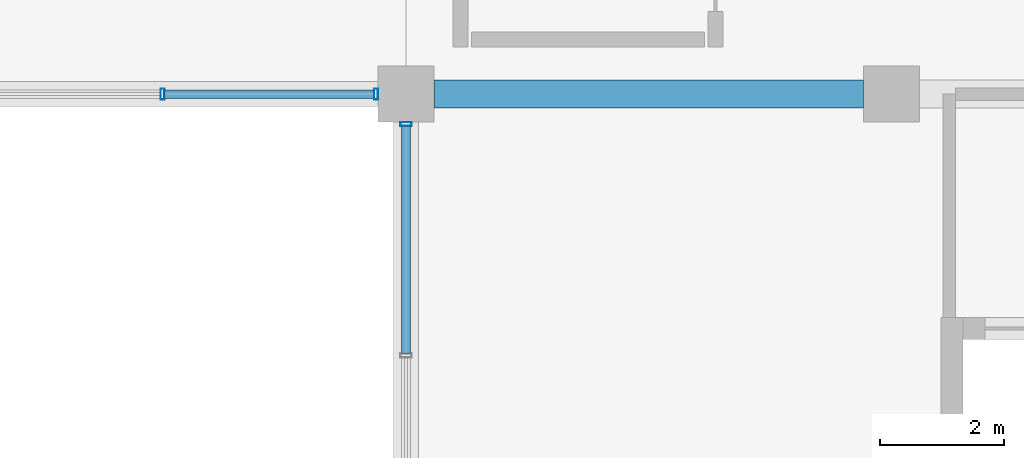
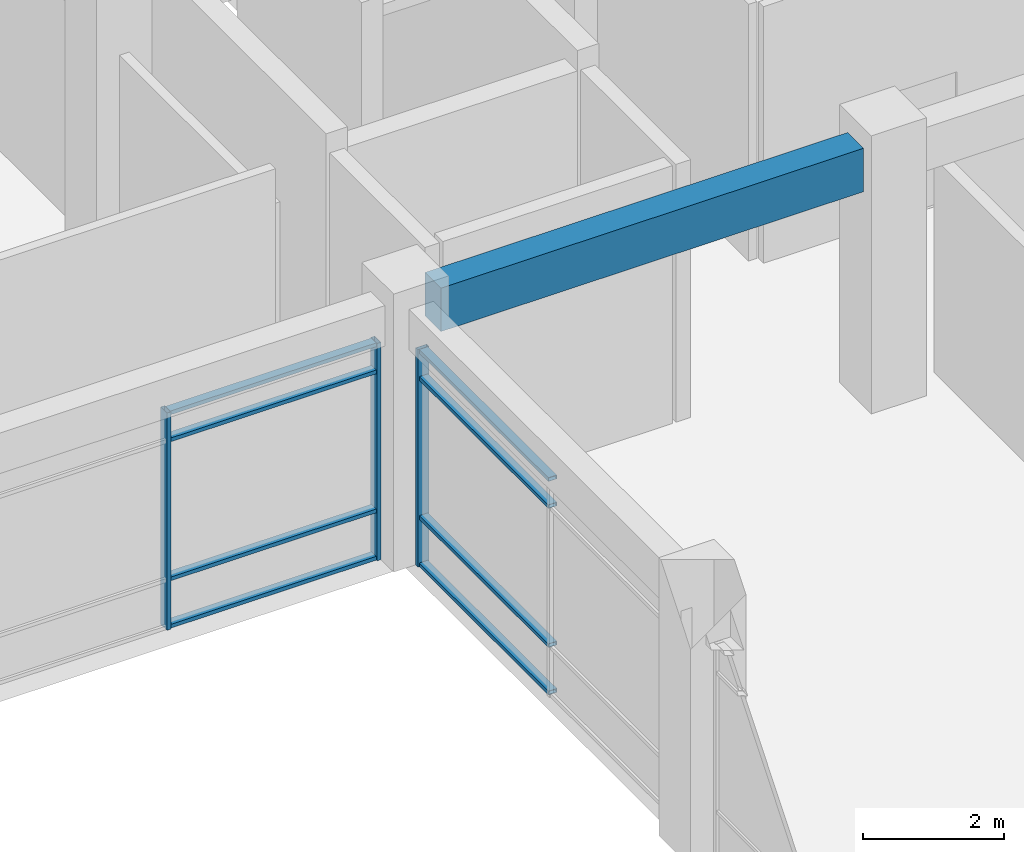
# One storey, part 33 of 79: 11 members, 1 beam, 2 elements without a shape of their own.
"""IFC4 building model written with IfcOpenShell, lengths in metres."""

from ifc_helpers import new_model, si_unit, direction, frame, origin, origin_2d, place, context, subcontext, project, spatial, rectangle, hollow_rectangle, extrude, material, material_profile, profile_set, type_object, element, aggregate, save


model = new_model("IFC4")

# Units and contexts
model_context = context("Model", 3, precision=1e-05, world=origin(), true_north=direction((0.0, 1.0)))
body_context = subcontext(model_context, "Body", "Model", "MODEL_VIEW")
ifc_project = project(units=[si_unit("LENGTHUNIT", "METRE"), si_unit("AREAUNIT", "SQUARE_METRE"), si_unit("VOLUMEUNIT", "CUBIC_METRE"), si_unit("PLANEANGLEUNIT", "RADIAN"), si_unit("MASSUNIT", "GRAM", prefix="KILO"), si_unit("THERMODYNAMICTEMPERATUREUNIT", "KELVIN"), si_unit("POWERUNIT", "WATT")], contexts=[model_context])

# Site, building, storey
site_placement = place(None, origin())
site = spatial("IfcSite", under=ifc_project, at=site_placement, CompositionType="ELEMENT")
building_placement = place(site_placement, origin())
building = spatial("IfcBuilding", under=site, at=building_placement, Name="Srebrne Nadtorze General Hospital", CompositionType="ELEMENT")
storey_placement = place(building_placement, frame((0.0, 0.0, 4.800048828125)))
storey = spatial("IfcBuildingStorey", under=building, at=storey_placement, Name="L01", CompositionType="ELEMENT", Elevation=4.800048828125)

# Curtain wall, members
ifc_material_1 = material(Name="Anodised Aluminium", Category="aluminium")
curtain_wall_type_1 = type_object("IfcCurtainWallType", Name="Unitised curtain wall 6925x3750", PredefinedType="NOTDEFINED", material=ifc_material_1)
curtain_wall_1_placement = place(storey_placement, origin())
curtain_wall_1 = element("IfcCurtainWall", 1, at=curtain_wall_1_placement, inside=storey, type_object=curtain_wall_type_1, Name="Curtain wall CW-055", PredefinedType="NOTDEFINED")
ifc_material_2 = material(Name="Anodised Aluminium", Category="aluminium")
ifc_material_profile_1 = material_profile(ifc_material_2, hollow_rectangle(XDim=0.06494140625, YDim=0.179931640625, WallThickness=0.00390625, at=origin_2d()), Name="AL-MUL-65x180")
ifc_profile_set_1 = profile_set([ifc_material_profile_1], Name="Anodised Aluminium")
member_type_1 = type_object("IfcMemberType", Name="Curtain mullion 65x180", PredefinedType="MULLION", material=ifc_profile_set_1)
member_1_placement = place(storey_placement, frame((97.487548828125, 50.39990234375, 0.0), z_axis=(0.0, 0.0, 1.0), x_axis=(1.0, 0.0, 0.0)))
member_1 = element("IfcMember", 2, at=member_1_placement, type_object=member_type_1, Name="CW-055 mullion 2", PredefinedType="MULLION", context=body_context, shape_type="SweptSolid", body=[
    extrude(hollow_rectangle(XDim=0.06494140625, YDim=0.179931640625, WallThickness=0.00390625, at=origin_2d()), origin(), (0.0, 0.0, 1.0), 3.75),
])
member_2_placement = place(storey_placement, frame((100.91748046875, 50.39990234375, 0.0), z_axis=(0.0, 0.0, 1.0), x_axis=(1.0, 0.0, 0.0)))
member_2 = element("IfcMember", 3, at=member_2_placement, type_object=member_type_1, Name="CW-055 mullion 3", PredefinedType="MULLION", context=body_context, shape_type="SweptSolid", body=[
    extrude(hollow_rectangle(XDim=0.06494140625, YDim=0.179931640625, WallThickness=0.00390625, at=origin_2d()), origin(), (0.0, 0.0, 1.0), 3.75),
])

# Curtain wall, member
ifc_material_3 = material(Name="Anodised Aluminium", Category="aluminium")
curtain_wall_type_2 = type_object("IfcCurtainWallType", Name="Unitised curtain wall 7500x3750", PredefinedType="NOTDEFINED", material=ifc_material_3)
curtain_wall_2_placement = place(storey_placement, origin())
curtain_wall_2 = element("IfcCurtainWall", 4, at=curtain_wall_2_placement, inside=storey, type_object=curtain_wall_type_2, Name="Curtain wall CW-061", PredefinedType="NOTDEFINED")
member_3_placement = place(storey_placement, frame((101.39990234375, 49.91748046875, 0.0), z_axis=(0.0, 0.0, 1.0), x_axis=(0.0, 1.0, 0.0)))
member_3 = element("IfcMember", 5, at=member_3_placement, type_object=member_type_1, Name="CW-061 mullion 3", PredefinedType="MULLION", context=body_context, shape_type="SweptSolid", body=[
    extrude(hollow_rectangle(XDim=0.06494140625, YDim=0.179931640625, WallThickness=0.00390625, at=origin_2d()), origin(), (0.0, 0.0, 1.0), 3.75),
])

# Member
ifc_material_4 = material(Name="Anodised Aluminium", Category="aluminium")
ifc_material_profile_2 = material_profile(ifc_material_4, hollow_rectangle(XDim=0.06494140625, YDim=0.139892578125, WallThickness=0.00390625, at=origin_2d()), Name="AL-TRN-65x140")
ifc_profile_set_2 = profile_set([ifc_material_profile_2], Name="Anodised Aluminium")
member_type_2 = type_object("IfcMemberType", Name="Curtain transom 65x140", PredefinedType="USERDEFINED", material=ifc_profile_set_2)
member_4_placement = place(storey_placement, frame((97.52001953125, 50.39990234375, 0.032470703125), z_axis=(1.0, 0.0, 0.0), x_axis=(0.0, 0.0, 1.0)))
member_4 = element("IfcMember", 6, at=member_4_placement, type_object=member_type_2, Name="CW-055 transom 2.1", ObjectType="TRANSOM", PredefinedType="USERDEFINED", context=body_context, shape_type="SweptSolid", body=[
    extrude(hollow_rectangle(XDim=0.06494140625, YDim=0.139892578125, WallThickness=0.00390625, at=origin_2d()), origin(), (0.0, 0.0, 1.0), 3.364990234375),
])

member_5_placement = place(storey_placement, frame((97.52001953125, 50.39990234375, 0.849853515625), z_axis=(1.0, 0.0, 0.0), x_axis=(0.0, 0.0, 1.0)))
member_5 = element("IfcMember", 7, at=member_5_placement, type_object=member_type_2, Name="CW-055 transom 2.2", ObjectType="TRANSOM", PredefinedType="USERDEFINED", context=body_context, shape_type="SweptSolid", body=[
    extrude(hollow_rectangle(XDim=0.06494140625, YDim=0.139892578125, WallThickness=0.00390625, at=origin_2d()), origin(), (0.0, 0.0, 1.0), 3.364990234375),
])

member_6_placement = place(storey_placement, frame((97.52001953125, 50.39990234375, 3.25), z_axis=(1.0, 0.0, 0.0), x_axis=(0.0, 0.0, 1.0)))
member_6 = element("IfcMember", 8, at=member_6_placement, type_object=member_type_2, Name="CW-055 transom 2.3", ObjectType="TRANSOM", PredefinedType="USERDEFINED", context=body_context, shape_type="SweptSolid", body=[
    extrude(hollow_rectangle(XDim=0.06494140625, YDim=0.139892578125, WallThickness=0.00390625, at=origin_2d()), origin(), (0.0, 0.0, 1.0), 3.364990234375),
])

member_7_placement = place(storey_placement, frame((97.52001953125, 50.39990234375, 3.717529296875), z_axis=(1.0, 0.0, 0.0), x_axis=(0.0, 0.0, 1.0)))
member_7 = element("IfcMember", 9, at=member_7_placement, type_object=member_type_2, Name="CW-055 transom 2.4", ObjectType="TRANSOM", PredefinedType="USERDEFINED", context=body_context, shape_type="SweptSolid", body=[
    extrude(hollow_rectangle(XDim=0.06494140625, YDim=0.139892578125, WallThickness=0.00390625, at=origin_2d()), origin(), (0.0, 0.0, 1.0), 3.364990234375),
])

aggregate(curtain_wall_1, [member_1, member_2, member_4, member_5, member_6, member_7])

member_8_placement = place(storey_placement, frame((101.39990234375, 46.232421875, 0.032470703125), z_axis=(0.0, 1.0, 0.0), x_axis=(0.0, 0.0, 1.0)))
member_8 = element("IfcMember", 10, at=member_8_placement, type_object=member_type_2, Name="CW-061 transom 2.1", ObjectType="TRANSOM", PredefinedType="USERDEFINED", context=body_context, shape_type="SweptSolid", body=[
    extrude(hollow_rectangle(XDim=0.06494140625, YDim=0.139892578125, WallThickness=0.00390625, at=origin_2d()), origin(), (0.0, 0.0, 1.0), 3.652587890625),
])

member_9_placement = place(storey_placement, frame((101.39990234375, 46.232421875, 0.849853515625), z_axis=(0.0, 1.0, 0.0), x_axis=(0.0, 0.0, 1.0)))
member_9 = element("IfcMember", 11, at=member_9_placement, type_object=member_type_2, Name="CW-061 transom 2.2", ObjectType="TRANSOM", PredefinedType="USERDEFINED", context=body_context, shape_type="SweptSolid", body=[
    extrude(hollow_rectangle(XDim=0.06494140625, YDim=0.139892578125, WallThickness=0.00390625, at=origin_2d()), origin(), (0.0, 0.0, 1.0), 3.652587890625),
])

member_10_placement = place(storey_placement, frame((101.39990234375, 46.232421875, 3.25), z_axis=(0.0, 1.0, 0.0), x_axis=(0.0, 0.0, 1.0)))
member_10 = element("IfcMember", 12, at=member_10_placement, type_object=member_type_2, Name="CW-061 transom 2.3", ObjectType="TRANSOM", PredefinedType="USERDEFINED", context=body_context, shape_type="SweptSolid", body=[
    extrude(hollow_rectangle(XDim=0.06494140625, YDim=0.139892578125, WallThickness=0.00390625, at=origin_2d()), origin(), (0.0, 0.0, 1.0), 3.652587890625),
])

member_11_placement = place(storey_placement, frame((101.39990234375, 46.232421875, 3.717529296875), z_axis=(0.0, 1.0, 0.0), x_axis=(0.0, 0.0, 1.0)))
member_11 = element("IfcMember", 13, at=member_11_placement, type_object=member_type_2, Name="CW-061 transom 2.4", ObjectType="TRANSOM", PredefinedType="USERDEFINED", context=body_context, shape_type="SweptSolid", body=[
    extrude(hollow_rectangle(XDim=0.06494140625, YDim=0.139892578125, WallThickness=0.00390625, at=origin_2d()), origin(), (0.0, 0.0, 1.0), 3.652587890625),
])

aggregate(curtain_wall_2, [member_3, member_8, member_9, member_10, member_11])

# Beam
ifc_material_5 = material(Name="Concrete C40/50", Category="concrete")
ifc_material_profile_3 = material_profile(ifc_material_5, rectangle(XDim=0.449951171875, YDim=0.75, at=origin_2d()), Name="RC-BM-450x750")
ifc_profile_set_3 = profile_set([ifc_material_profile_3], Name="Concrete C40/50")
beam_type = type_object("IfcBeamType", Name="Primary beam RC 450x750", PredefinedType="BEAM", material=ifc_profile_set_3)
beam_placement = place(storey_placement, frame((101.85009765625, 50.39990234375, 4.074951171875), z_axis=(1.0, 0.0, 0.0), x_axis=(0.0, 1.0, 0.0)))
element("IfcBeam", 14, at=beam_placement, inside=storey, type_object=beam_type, Name="Beam BM-L01-X-0418", PredefinedType="BEAM", context=body_context, shape_type="SweptSolid", body=[
    extrude(rectangle(XDim=0.449951171875, YDim=0.75, at=origin_2d()), origin(), (0.0, 0.0, 1.0), 6.89990234375),
])

save(model, "model.ifc")
